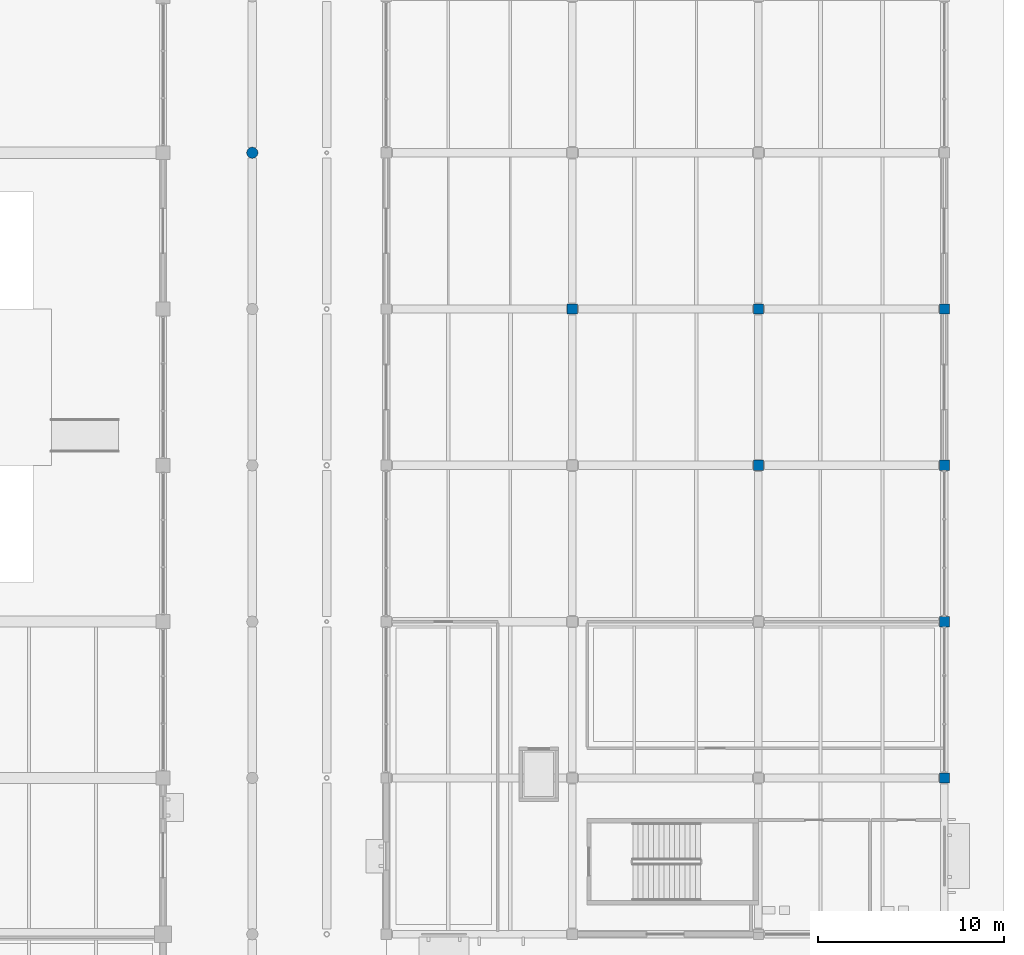
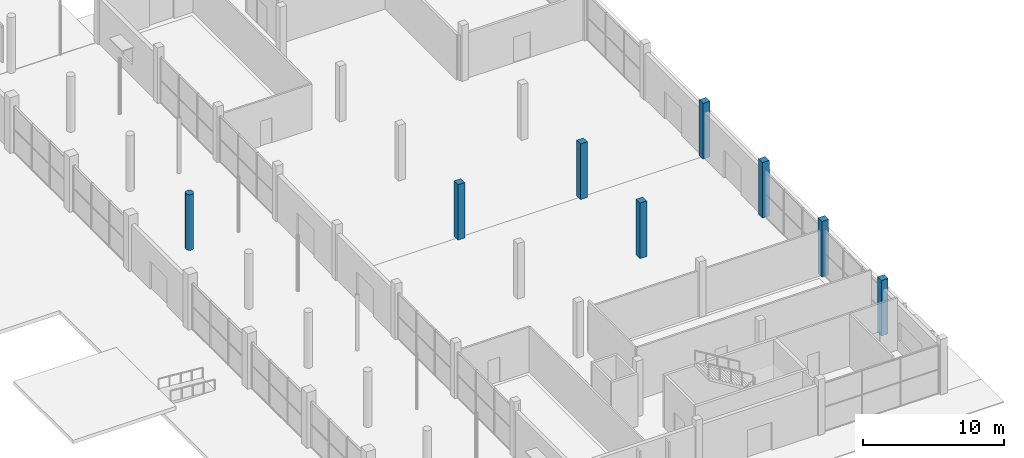
# One storey, part 7 of 130: 8 columns.
"""IFC4 building model written with IfcOpenShell, lengths in metres."""

from ifc_helpers import new_model, si_unit, direction, frame, origin, origin_2d, place, context, subcontext, project, spatial, rectangle, circle, extrude, material, material_profile, profile_set, type_object, element, save


model = new_model("IFC4")

# Units and contexts
model_context = context("Model", 3, precision=1e-05, world=origin(), true_north=direction((0.0, 1.0)))
body_context = subcontext(model_context, "Body", "Model", "MODEL_VIEW")
ifc_project = project(units=[si_unit("LENGTHUNIT", "METRE"), si_unit("AREAUNIT", "SQUARE_METRE"), si_unit("VOLUMEUNIT", "CUBIC_METRE"), si_unit("PLANEANGLEUNIT", "RADIAN"), si_unit("MASSUNIT", "GRAM", prefix="KILO"), si_unit("THERMODYNAMICTEMPERATUREUNIT", "KELVIN")], contexts=[model_context])

# Site, building, storey
site_placement = place(None, origin())
site = spatial("IfcSite", under=ifc_project, at=site_placement, CompositionType="ELEMENT")
building_placement = place(site_placement, origin())
building = spatial("IfcBuilding", under=site, at=building_placement, Name="Nduvali Passage Aquatics Centre", CompositionType="ELEMENT")
storey_placement = place(building_placement, origin())
storey = spatial("IfcBuildingStorey", under=building, at=storey_placement, Name="L00", CompositionType="ELEMENT", Elevation=0.0)

# Columns
ifc_material = material(Name="Concrete C40/50", Category="concrete")
ifc_material_profile_1 = material_profile(ifc_material, rectangle(XDim=0.550048828125, YDim=0.550048828125, at=origin_2d()), Name="RC 550x550")
ifc_profile_set_1 = profile_set([ifc_material_profile_1], Name="Concrete C40/50")
column_type_1 = type_object("IfcColumnType", Name="STR-COL-RC550", PredefinedType="COLUMN", material=ifc_profile_set_1)
for number, where, z_axis, x_axis, name in (
    (1, (148.0, 58.800048828125, 0.0), (0.0, 0.0, 1.0), (1.0, 0.0, 0.0), "L00 Column C4 (148.0, 58.8)"),
    (2, (158.0, 50.39990234375, 0.0), (0.0, 0.0, 1.0), (1.0, 0.0, 0.0), "L00 Column C4 (158.0, 50.4)"),
    (3, (158.0, 58.800048828125, 0.0), (0.0, 0.0, 1.0), (1.0, 0.0, 0.0), "L00 Column C4 (158.0, 58.8)"),
):
    element("IfcColumn", number, at=place(storey_placement, frame(where, z_axis=z_axis, x_axis=x_axis)), inside=storey, type_object=column_type_1, Name=name, PredefinedType="COLUMN", context=body_context, shape_type="SweptSolid", body=[
        extrude(rectangle(XDim=0.550048828125, YDim=0.550048828125, at=origin_2d()), origin(), (0.0, 0.0, 1.0), 4.800048828125),
    ])
ifc_material_profile_2 = material_profile(ifc_material, rectangle(XDim=0.550048828125, YDim=0.550048828125, at=origin_2d()), Name="RC 550x550")
ifc_profile_set_2 = profile_set([ifc_material_profile_2], Name="Concrete C40/50")
column_type_2 = type_object("IfcColumnType", Name="STR-COL-RC550-EXT", PredefinedType="COLUMN", material=ifc_profile_set_2)
for number, where, z_axis, x_axis, name in (
    (4, (168.0, 33.60009765625, 0.0), (0.0, 0.0, 1.0), (1.0, 0.0, 0.0), "L00 Column C4E (168.0, 33.6)"),
    (5, (168.0, 42.0, 0.0), (0.0, 0.0, 1.0), (1.0, 0.0, 0.0), "L00 Column C4E (168.0, 42.0)"),
    (6, (168.0, 50.39990234375, 0.0), (0.0, 0.0, 1.0), (1.0, 0.0, 0.0), "L00 Column C4E (168.0, 50.4)"),
    (7, (168.0, 58.800048828125, 0.0), (0.0, 0.0, 1.0), (1.0, 0.0, 0.0), "L00 Column C4E (168.0, 58.8)"),
):
    element("IfcColumn", number, at=place(storey_placement, frame(where, z_axis=z_axis, x_axis=x_axis)), inside=storey, type_object=column_type_2, Name=name, PredefinedType="COLUMN", context=body_context, shape_type="SweptSolid", body=[
        extrude(rectangle(XDim=0.550048828125, YDim=0.550048828125, at=origin_2d()), origin(), (0.0, 0.0, 1.0), 4.800048828125),
    ])
ifc_material_profile_3 = material_profile(ifc_material, circle(Radius=0.300048828125, at=origin_2d()), Name="RC D600")
ifc_profile_set_3 = profile_set([ifc_material_profile_3], Name="Concrete C40/50")
column_type_3 = type_object("IfcColumnType", Name="STR-PIL-D600-EXT", PredefinedType="PILASTER", material=ifc_profile_set_3)
column_placement = place(storey_placement, frame((130.800048828125, 67.199951171875, 0.0), z_axis=(0.0, 0.0, 1.0), x_axis=(1.0, 0.0, 0.0)))
element("IfcColumn", 8, at=column_placement, inside=storey, type_object=column_type_3, Name="L00 Column CP1E (130.8, 67.2)", PredefinedType="PILASTER", context=body_context, shape_type="SweptSolid", body=[
    extrude(circle(Radius=0.300048828125, at=origin_2d()), origin(), (0.0, 0.0, 1.0), 4.800048828125),
])

save(model, "model.ifc")
